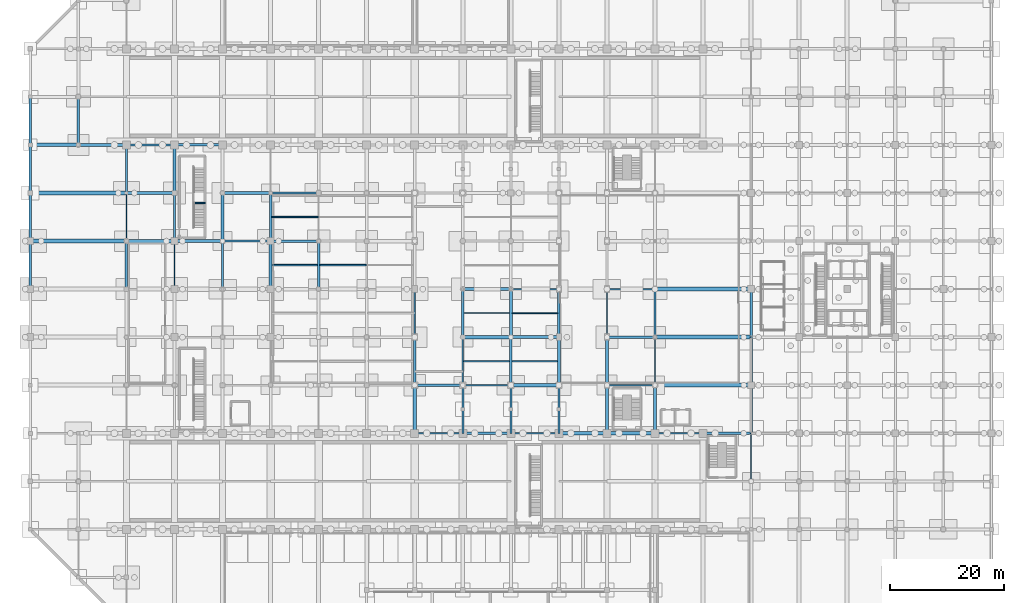
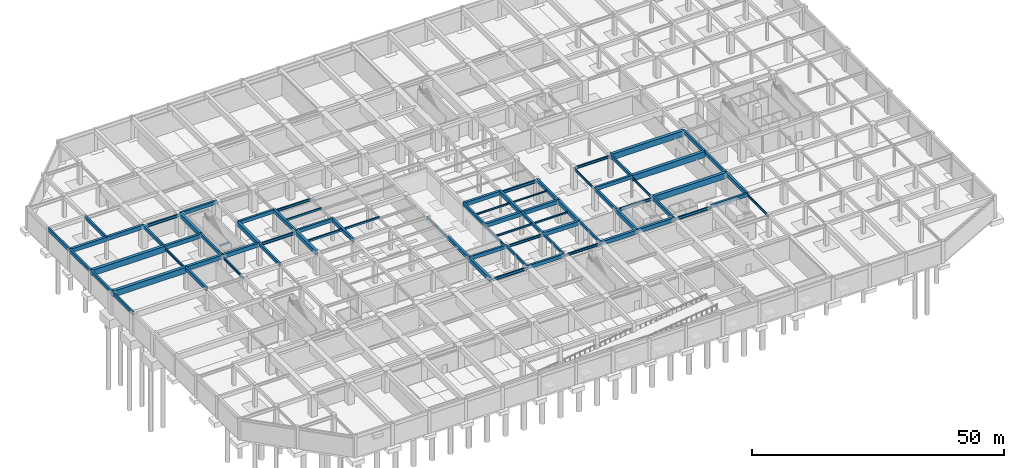
# One storey, part 12 of 26: 82 beams.
"""IFC4 building model written with IfcOpenShell, lengths in metres."""

from ifc_helpers import new_model, si_unit, direction, frame, origin, origin_2d, place, context, subcontext, project, spatial, rectangle, i_section, extrude, material, material_profile, profile_set, type_object, element, save


model = new_model("IFC4")

# Units and contexts
model_context = context("Model", 3, precision=1e-05, world=origin(), true_north=direction((0.0, 1.0)))
body_context = subcontext(model_context, "Body", "Model", "MODEL_VIEW")
ifc_project = project(units=[si_unit("LENGTHUNIT", "METRE"), si_unit("AREAUNIT", "SQUARE_METRE"), si_unit("VOLUMEUNIT", "CUBIC_METRE"), si_unit("PLANEANGLEUNIT", "RADIAN"), si_unit("MASSUNIT", "GRAM", prefix="KILO")], contexts=[model_context])

# Site, building, storey
site_placement = place(None, origin())
site = spatial("IfcSite", under=ifc_project, at=site_placement, CompositionType="ELEMENT")
building_placement = place(site_placement, origin())
building = spatial("IfcBuilding", under=site, at=building_placement, Name="Xuanlan Plaza Opera House", CompositionType="ELEMENT")
storey_placement = place(building_placement, frame((0.0, 0.0, -5.39990234375)))
storey = spatial("IfcBuildingStorey", under=building, at=storey_placement, Name="B01", CompositionType="ELEMENT", Elevation=-5.39990234375)

# Beams
ifc_material_1 = material(Name="Concrete C50", Category="concrete")
ifc_material_profile_1 = material_profile(ifc_material_1, rectangle(XDim=0.60009765625, YDim=0.949951171875, at=origin_2d()), Name="RC-BM 600x950")
ifc_profile_set_1 = profile_set([ifc_material_profile_1], Name="Concrete C50")
beam_type_1 = type_object("IfcBeamType", Name="STR-BM-B-01", PredefinedType="BEAM", material=ifc_profile_set_1)
beam_1_placement = place(storey_placement, frame((92.39990234375, 33.60009765625, 4.9248046875), z_axis=(1.0, 0.0, 0.0), x_axis=(0.0, 1.0, 0.0)))
element("IfcBeam", 1, at=beam_1_placement, inside=storey, type_object=beam_type_1, Name="Grid Beam X B01 12-13/E", PredefinedType="BEAM", context=body_context, shape_type="SweptSolid", body=[
    extrude(rectangle(XDim=0.60009765625, YDim=0.949951171875, at=origin_2d()), origin(), (0.0, 0.0, 1.0), 8.400146484375),
])
for number, where, z_axis, x_axis, name in (
    (2, (84.0, 42.0, 4.9248046875), (1.0, 0.0, 0.0), (0.0, 1.0, 0.0), "Grid Beam X B01 11-12/F"),
    (3, (75.60009765625, 50.39990234375, 4.9248046875), (1.0, 0.0, 0.0), (0.0, 1.0, 0.0), "Grid Beam X B01 10-11/G"),
    (4, (16.800048828125, 67.199951171875, 4.9248046875), (1.0, 0.0, 0.0), (0.0, 1.0, 0.0), "Grid Beam X B01 3-4/I"),
    (5, (0.0, 84.0, 4.9248046875), (1.0, 0.0, 0.0), (0.0, 1.0, 0.0), "Grid Beam X B01 1-2/K"),
):
    element("IfcBeam", number, at=place(storey_placement, frame(where, z_axis=z_axis, x_axis=x_axis)), inside=storey, type_object=beam_type_1, Name=name, PredefinedType="BEAM", context=body_context, shape_type="SweptSolid", body=[
        extrude(rectangle(XDim=0.60009765625, YDim=0.949951171875, at=origin_2d()), origin(), (0.0, 0.0, 1.0), 8.39990234375),
    ])
ifc_material_profile_2 = material_profile(ifc_material_1, rectangle(XDim=0.550048828125, YDim=0.949951171875, at=origin_2d()), Name="RC-BM 550x950")
ifc_profile_set_2 = profile_set([ifc_material_profile_2], Name="Concrete C50")
beam_type_2 = type_object("IfcBeamType", Name="STR-BM-B-02", PredefinedType="BEAM", material=ifc_profile_set_2)
for number, where, z_axis, x_axis, name in (
    (6, (100.800048828125, 33.60009765625, 4.9248046875), (1.0, 0.0, 0.0), (0.0, 1.0, 0.0), "Grid Beam X B01 13-14/E"),
    (7, (84.0, 50.39990234375, 4.9248046875), (1.0, 0.0, 0.0), (0.0, 1.0, 0.0), "Grid Beam X B01 11-12/G"),
    (8, (75.60009765625, 58.800048828125, 4.9248046875), (1.0, 0.0, 0.0), (0.0, 1.0, 0.0), "Grid Beam X B01 10-11/H"),
):
    element("IfcBeam", number, at=place(storey_placement, frame(where, z_axis=z_axis, x_axis=x_axis)), inside=storey, type_object=beam_type_2, Name=name, PredefinedType="BEAM", context=body_context, shape_type="SweptSolid", body=[
        extrude(rectangle(XDim=0.550048828125, YDim=0.949951171875, at=origin_2d()), origin(), (0.0, 0.0, 1.0), 8.39990234375),
    ])
beam_2_placement = place(storey_placement, frame((25.199951171875, 67.199951171875, 4.9248046875), z_axis=(1.0, 0.0, 0.0), x_axis=(0.0, 1.0, 0.0)))
element("IfcBeam", 9, at=beam_2_placement, inside=storey, type_object=beam_type_2, Name="Grid Beam X B01 4-5/I", PredefinedType="BEAM", context=body_context, shape_type="SweptSolid", body=[
    extrude(rectangle(XDim=0.550048828125, YDim=0.949951171875, at=origin_2d()), origin(), (0.0, 0.0, 1.0), 8.400146484375),
])
beam_3_placement = place(storey_placement, frame((16.800048828125, 75.60009765625, 4.9248046875), z_axis=(1.0, 0.0, 0.0), x_axis=(0.0, 1.0, 0.0)))
element("IfcBeam", 10, at=beam_3_placement, inside=storey, type_object=beam_type_2, Name="Grid Beam X B01 3-4/J", PredefinedType="BEAM", context=body_context, shape_type="SweptSolid", body=[
    extrude(rectangle(XDim=0.550048828125, YDim=0.949951171875, at=origin_2d()), origin(), (0.0, 0.0, 1.0), 8.39990234375),
])
beam_4_placement = place(storey_placement, frame((8.39990234375, 84.0, 4.9248046875), z_axis=(1.0, 0.0, 0.0), x_axis=(0.0, 1.0, 0.0)))
element("IfcBeam", 11, at=beam_4_placement, inside=storey, type_object=beam_type_2, Name="Grid Beam X B01 2-3/K", PredefinedType="BEAM", context=body_context, shape_type="SweptSolid", body=[
    extrude(rectangle(XDim=0.550048828125, YDim=0.949951171875, at=origin_2d()), origin(), (0.0, 0.0, 1.0), 8.400146484375),
])
beam_5_placement = place(storey_placement, frame((25.199951171875, 75.60009765625, 4.9248046875), z_axis=(0.0, 1.0, 0.0), x_axis=(-1.0, 0.0, 0.0)))
element("IfcBeam", 12, at=beam_5_placement, inside=storey, type_object=beam_type_2, Name="Grid Beam Y B01 4/J-K", PredefinedType="BEAM", context=body_context, shape_type="SweptSolid", body=[
    extrude(rectangle(XDim=0.550048828125, YDim=0.949951171875, at=origin_2d()), origin(), (0.0, 0.0, 1.0), 8.39990234375),
])
beam_6_placement = place(storey_placement, frame((33.60009765625, 67.199951171875, 4.9248046875), z_axis=(0.0, 1.0, 0.0), x_axis=(-1.0, 0.0, 0.0)))
element("IfcBeam", 13, at=beam_6_placement, inside=storey, type_object=beam_type_2, Name="Grid Beam Y B01 5/I-J", PredefinedType="BEAM", context=body_context, shape_type="SweptSolid", body=[
    extrude(rectangle(XDim=0.550048828125, YDim=0.949951171875, at=origin_2d()), origin(), (0.0, 0.0, 1.0), 8.400146484375),
])
for number, where, z_axis, x_axis, name in (
    (14, (42.0, 58.800048828125, 4.9248046875), (0.0, 1.0, 0.0), (-1.0, 0.0, 0.0), "Grid Beam Y B01 6/H-I"),
    (15, (67.199951171875, 33.60009765625, 4.9248046875), (0.0, 1.0, 0.0), (-1.0, 0.0, 0.0), "Grid Beam Y B01 9/E-F"),
):
    element("IfcBeam", number, at=place(storey_placement, frame(where, z_axis=z_axis, x_axis=x_axis)), inside=storey, type_object=beam_type_2, Name=name, PredefinedType="BEAM", context=body_context, shape_type="SweptSolid", body=[
        extrude(rectangle(XDim=0.550048828125, YDim=0.949951171875, at=origin_2d()), origin(), (0.0, 0.0, 1.0), 8.39990234375),
    ])
beam_7_placement = place(storey_placement, frame((84.0, 50.39990234375, 4.9248046875), z_axis=(0.0, 1.0, 0.0), x_axis=(-1.0, 0.0, 0.0)))
element("IfcBeam", 16, at=beam_7_placement, inside=storey, type_object=beam_type_2, Name="Grid Beam Y B01 11/G-H", PredefinedType="BEAM", context=body_context, shape_type="SweptSolid", body=[
    extrude(rectangle(XDim=0.550048828125, YDim=0.949951171875, at=origin_2d()), origin(), (0.0, 0.0, 1.0), 8.400146484375),
])
for number, where, z_axis, x_axis, name in (
    (17, (92.39990234375, 42.0, 4.9248046875), (0.0, 1.0, 0.0), (-1.0, 0.0, 0.0), "Grid Beam Y B01 12/F-G"),
    (18, (100.800048828125, 33.60009765625, 4.9248046875), (0.0, 1.0, 0.0), (-1.0, 0.0, 0.0), "Grid Beam Y B01 13/E-F"),
):
    element("IfcBeam", number, at=place(storey_placement, frame(where, z_axis=z_axis, x_axis=x_axis)), inside=storey, type_object=beam_type_2, Name=name, PredefinedType="BEAM", context=body_context, shape_type="SweptSolid", body=[
        extrude(rectangle(XDim=0.550048828125, YDim=0.949951171875, at=origin_2d()), origin(), (0.0, 0.0, 1.0), 8.39990234375),
    ])
ifc_material_2 = material(Name="Concrete C40", Category="concrete")
ifc_material_profile_3 = material_profile(ifc_material_2, rectangle(XDim=0.449951171875, YDim=0.85009765625, at=origin_2d()), Name="RC-BM 450x850")
ifc_profile_set_3 = profile_set([ifc_material_profile_3], Name="Concrete C40")
beam_type_3 = type_object("IfcBeamType", Name="STR-BM-B-04", PredefinedType="BEAM", material=ifc_profile_set_3)
for number, where, z_axis, x_axis, name in (
    (19, (75.60009765625, 33.60009765625, 4.974853515625), (1.0, 0.0, 0.0), (0.0, 1.0, 0.0), "Grid Beam X B01 10-11/E"),
    (20, (117.60009765625, 33.60009765625, 4.974853515625), (1.0, 0.0, 0.0), (0.0, 1.0, 0.0), "Grid Beam X B01 15-16/E"),
):
    element("IfcBeam", number, at=place(storey_placement, frame(where, z_axis=z_axis, x_axis=x_axis)), inside=storey, type_object=beam_type_3, Name=name, PredefinedType="BEAM", context=body_context, shape_type="SweptSolid", body=[
        extrude(rectangle(XDim=0.449951171875, YDim=0.85009765625, at=origin_2d()), origin(), (0.0, 0.0, 1.0), 8.39990234375),
    ])
beam_8_placement = place(storey_placement, frame((67.199951171875, 42.0, 4.974853515625), z_axis=(1.0, 0.0, 0.0), x_axis=(0.0, 1.0, 0.0)))
element("IfcBeam", 21, at=beam_8_placement, inside=storey, type_object=beam_type_3, Name="Grid Beam X B01 9-10/F", PredefinedType="BEAM", context=body_context, shape_type="SweptSolid", body=[
    extrude(rectangle(XDim=0.449951171875, YDim=0.85009765625, at=origin_2d()), origin(), (0.0, 0.0, 1.0), 8.400146484375),
])
for number, where, z_axis, x_axis, name in (
    (22, (100.800048828125, 50.39990234375, 4.974853515625), (1.0, 0.0, 0.0), (0.0, 1.0, 0.0), "Grid Beam X B01 13-14/G"),
    (23, (42.0, 67.199951171875, 4.974853515625), (1.0, 0.0, 0.0), (0.0, 1.0, 0.0), "Grid Beam X B01 6-7/I"),
    (24, (33.60009765625, 75.60009765625, 4.974853515625), (1.0, 0.0, 0.0), (0.0, 1.0, 0.0), "Grid Beam X B01 5-6/J"),
):
    element("IfcBeam", number, at=place(storey_placement, frame(where, z_axis=z_axis, x_axis=x_axis)), inside=storey, type_object=beam_type_3, Name=name, PredefinedType="BEAM", context=body_context, shape_type="SweptSolid", body=[
        extrude(rectangle(XDim=0.449951171875, YDim=0.85009765625, at=origin_2d()), origin(), (0.0, 0.0, 1.0), 8.39990234375),
    ])
beam_9_placement = place(storey_placement, frame((25.199951171875, 84.0, 4.974853515625), z_axis=(1.0, 0.0, 0.0), x_axis=(0.0, 1.0, 0.0)))
element("IfcBeam", 25, at=beam_9_placement, inside=storey, type_object=beam_type_3, Name="Grid Beam X B01 4-5/K", PredefinedType="BEAM", context=body_context, shape_type="SweptSolid", body=[
    extrude(rectangle(XDim=0.449951171875, YDim=0.85009765625, at=origin_2d()), origin(), (0.0, 0.0, 1.0), 8.400146484375),
])
beam_10_placement = place(storey_placement, frame((16.800048828125, 58.800048828125, 4.974853515625), z_axis=(0.0, 1.0, 0.0), x_axis=(-1.0, 0.0, 0.0)))
element("IfcBeam", 26, at=beam_10_placement, inside=storey, type_object=beam_type_3, Name="Grid Beam Y B01 3/H-I", PredefinedType="BEAM", context=body_context, shape_type="SweptSolid", body=[
    extrude(rectangle(XDim=0.449951171875, YDim=0.85009765625, at=origin_2d()), origin(), (0.0, 0.0, 1.0), 8.39990234375),
])
beam_11_placement = place(storey_placement, frame((42.0, 67.199951171875, 4.974853515625), z_axis=(0.0, 1.0, 0.0), x_axis=(-1.0, 0.0, 0.0)))
element("IfcBeam", 27, at=beam_11_placement, inside=storey, type_object=beam_type_3, Name="Grid Beam Y B01 6/I-J", PredefinedType="BEAM", context=body_context, shape_type="SweptSolid", body=[
    extrude(rectangle(XDim=0.449951171875, YDim=0.85009765625, at=origin_2d()), origin(), (0.0, 0.0, 1.0), 8.400146484375),
])
for number, where, z_axis, x_axis, name in (
    (28, (50.39990234375, 58.800048828125, 4.974853515625), (0.0, 1.0, 0.0), (-1.0, 0.0, 0.0), "Grid Beam Y B01 7/H-I"),
    (29, (67.199951171875, 42.0, 4.974853515625), (0.0, 1.0, 0.0), (-1.0, 0.0, 0.0), "Grid Beam Y B01 9/F-G"),
):
    element("IfcBeam", number, at=place(storey_placement, frame(where, z_axis=z_axis, x_axis=x_axis)), inside=storey, type_object=beam_type_3, Name=name, PredefinedType="BEAM", context=body_context, shape_type="SweptSolid", body=[
        extrude(rectangle(XDim=0.449951171875, YDim=0.85009765625, at=origin_2d()), origin(), (0.0, 0.0, 1.0), 8.39990234375),
    ])
beam_12_placement = place(storey_placement, frame((92.39990234375, 50.39990234375, 4.974853515625), z_axis=(0.0, 1.0, 0.0), x_axis=(-1.0, 0.0, 0.0)))
element("IfcBeam", 30, at=beam_12_placement, inside=storey, type_object=beam_type_3, Name="Grid Beam Y B01 12/G-H", PredefinedType="BEAM", context=body_context, shape_type="SweptSolid", body=[
    extrude(rectangle(XDim=0.449951171875, YDim=0.85009765625, at=origin_2d()), origin(), (0.0, 0.0, 1.0), 8.400146484375),
])
for number, where, z_axis, x_axis, name in (
    (31, (100.800048828125, 42.0, 4.974853515625), (0.0, 1.0, 0.0), (-1.0, 0.0, 0.0), "Grid Beam Y B01 13/F-G"),
    (32, (109.199951171875, 33.60009765625, 4.974853515625), (0.0, 1.0, 0.0), (-1.0, 0.0, 0.0), "Grid Beam Y B01 14/E-F"),
    (33, (126.0, 33.60009765625, 4.974853515625), (0.0, 1.0, 0.0), (-1.0, 0.0, 0.0), "Grid Beam Y B01 16/E-F"),
    (34, (126.0, 42.0, 4.974853515625), (0.0, 1.0, 0.0), (-1.0, 0.0, 0.0), "Grid Beam Y B01 16/F-G"),
):
    element("IfcBeam", number, at=place(storey_placement, frame(where, z_axis=z_axis, x_axis=x_axis)), inside=storey, type_object=beam_type_3, Name=name, PredefinedType="BEAM", context=body_context, shape_type="SweptSolid", body=[
        extrude(rectangle(XDim=0.449951171875, YDim=0.85009765625, at=origin_2d()), origin(), (0.0, 0.0, 1.0), 8.39990234375),
    ])
beam_13_placement = place(storey_placement, frame((126.0, 50.39990234375, 4.974853515625), z_axis=(0.0, 1.0, 0.0), x_axis=(-1.0, 0.0, 0.0)))
element("IfcBeam", 35, at=beam_13_placement, inside=storey, type_object=beam_type_3, Name="Grid Beam Y B01 16/G-H", PredefinedType="BEAM", context=body_context, shape_type="SweptSolid", body=[
    extrude(rectangle(XDim=0.449951171875, YDim=0.85009765625, at=origin_2d()), origin(), (0.0, 0.0, 1.0), 8.400146484375),
])
ifc_material_profile_4 = material_profile(ifc_material_2, rectangle(XDim=0.39990234375, YDim=0.75, at=origin_2d()), Name="RC-BM 400x750")
ifc_profile_set_4 = profile_set([ifc_material_profile_4], Name="Concrete C40")
beam_type_4 = type_object("IfcBeamType", Name="STR-BM-B-06", PredefinedType="BEAM", material=ifc_profile_set_4)
for number, where, z_axis, x_axis, name in (
    (36, (8.39990234375, 84.0, 5.02490234375), (0.0, 1.0, 0.0), (-1.0, 0.0, 0.0), "Grid Beam Y B01 2/K-L"),
    (37, (16.800048828125, 75.60009765625, 5.02490234375), (0.0, 1.0, 0.0), (-1.0, 0.0, 0.0), "Grid Beam Y B01 3/J-K"),
):
    element("IfcBeam", number, at=place(storey_placement, frame(where, z_axis=z_axis, x_axis=x_axis)), inside=storey, type_object=beam_type_4, Name=name, PredefinedType="BEAM", context=body_context, shape_type="SweptSolid", body=[
        extrude(rectangle(XDim=0.39990234375, YDim=0.75, at=origin_2d()), origin(), (0.0, 0.0, 1.0), 8.39990234375),
    ])
beam_14_placement = place(storey_placement, frame((25.199951171875, 67.199951171875, 5.02490234375), z_axis=(0.0, 1.0, 0.0), x_axis=(-1.0, 0.0, 0.0)))
element("IfcBeam", 38, at=beam_14_placement, inside=storey, type_object=beam_type_4, Name="Grid Beam Y B01 4/I-J", PredefinedType="BEAM", context=body_context, shape_type="SweptSolid", body=[
    extrude(rectangle(XDim=0.39990234375, YDim=0.75, at=origin_2d()), origin(), (0.0, 0.0, 1.0), 8.400146484375),
])
beam_15_placement = place(storey_placement, frame((33.60009765625, 58.800048828125, 5.02490234375), z_axis=(0.0, 1.0, 0.0), x_axis=(-1.0, 0.0, 0.0)))
element("IfcBeam", 39, at=beam_15_placement, inside=storey, type_object=beam_type_4, Name="Grid Beam Y B01 5/H-I", PredefinedType="BEAM", context=body_context, shape_type="SweptSolid", body=[
    extrude(rectangle(XDim=0.39990234375, YDim=0.75, at=origin_2d()), origin(), (0.0, 0.0, 1.0), 8.39990234375),
])
beam_16_placement = place(storey_placement, frame((75.60009765625, 50.39990234375, 5.02490234375), z_axis=(0.0, 1.0, 0.0), x_axis=(-1.0, 0.0, 0.0)))
element("IfcBeam", 40, at=beam_16_placement, inside=storey, type_object=beam_type_4, Name="Grid Beam Y B01 10/G-H", PredefinedType="BEAM", context=body_context, shape_type="SweptSolid", body=[
    extrude(rectangle(XDim=0.39990234375, YDim=0.75, at=origin_2d()), origin(), (0.0, 0.0, 1.0), 8.400146484375),
])
beam_17_placement = place(storey_placement, frame((84.0, 42.0, 5.02490234375), z_axis=(0.0, 1.0, 0.0), x_axis=(-1.0, 0.0, 0.0)))
element("IfcBeam", 41, at=beam_17_placement, inside=storey, type_object=beam_type_4, Name="Grid Beam Y B01 11/F-G", PredefinedType="BEAM", context=body_context, shape_type="SweptSolid", body=[
    extrude(rectangle(XDim=0.39990234375, YDim=0.75, at=origin_2d()), origin(), (0.0, 0.0, 1.0), 8.39990234375),
])
beam_18_placement = place(storey_placement, frame((109.199951171875, 50.39990234375, 5.02490234375), z_axis=(0.0, 1.0, 0.0), x_axis=(-1.0, 0.0, 0.0)))
element("IfcBeam", 42, at=beam_18_placement, inside=storey, type_object=beam_type_4, Name="Grid Beam Y B01 14/G-H", PredefinedType="BEAM", context=body_context, shape_type="SweptSolid", body=[
    extrude(rectangle(XDim=0.39990234375, YDim=0.75, at=origin_2d()), origin(), (0.0, 0.0, 1.0), 8.400146484375),
])
ifc_material_profile_5 = material_profile(ifc_material_2, rectangle(XDim=0.35009765625, YDim=0.60009765625, at=origin_2d()), Name="RC-BM 350x600")
ifc_profile_set_5 = profile_set([ifc_material_profile_5], Name="Concrete C40")
beam_type_5 = type_object("IfcBeamType", Name="STR-BM-B-10", PredefinedType="BEAM", material=ifc_profile_set_5)
for number, where, z_axis, x_axis, name in (
    (43, (75.60009765625, 33.60009765625, 5.099853515625), (0.0, 1.0, 0.0), (-1.0, 0.0, 0.0), "Sub-Bay Beam Y B01 10/EA"),
    (44, (75.60009765625, 37.800048828125, 5.099853515625), (0.0, 1.0, 0.0), (-1.0, 0.0, 0.0), "Sub-Bay Beam Y B01 10/EB"),
    (45, (84.0, 33.60009765625, 5.099853515625), (0.0, 1.0, 0.0), (-1.0, 0.0, 0.0), "Sub-Bay Beam Y B01 11/EA"),
    (46, (84.0, 37.800048828125, 5.099853515625), (0.0, 1.0, 0.0), (-1.0, 0.0, 0.0), "Sub-Bay Beam Y B01 11/EB"),
    (47, (92.39990234375, 33.60009765625, 5.099853515625), (0.0, 1.0, 0.0), (-1.0, 0.0, 0.0), "Sub-Bay Beam Y B01 12/EA"),
    (48, (92.39990234375, 37.800048828125, 5.099853515625), (0.0, 1.0, 0.0), (-1.0, 0.0, 0.0), "Sub-Bay Beam Y B01 12/EB"),
):
    element("IfcBeam", number, at=place(storey_placement, frame(where, z_axis=z_axis, x_axis=x_axis)), inside=storey, type_object=beam_type_5, Name=name, PredefinedType="BEAM", context=body_context, shape_type="SweptSolid", body=[
        extrude(rectangle(XDim=0.35009765625, YDim=0.60009765625, at=origin_2d()), origin(), (0.0, 0.0, 1.0), 4.199951171875),
    ])
ifc_material_3 = material(Name="Steel Q355B", Category="steel")
ifc_material_profile_6 = material_profile(ifc_material_3, i_section(OverallWidth=0.199951171875, OverallDepth=0.449951171875, WebThickness=0.009033203125, FlangeThickness=0.013916015625, FilletRadius=0.01806640625, at=origin_2d()), Name="HN 450x200x9x14")
ifc_profile_set_6 = profile_set([ifc_material_profile_6], Name="Steel Q355B")
beam_type_6 = type_object("IfcBeamType", Name="STR-BM-J-01", PredefinedType="JOIST", material=ifc_profile_set_6)
beam_19_placement = place(storey_placement, frame((75.699951171875, 46.199951171875, 4.869873046875), z_axis=(1.0, 0.0, 0.0), x_axis=(0.0, 1.0, 0.0)))
element("IfcBeam", 49, at=beam_19_placement, inside=storey, type_object=beam_type_6, Name="Heavy Floor Joist B01 10-11/Fm", PredefinedType="JOIST", context=body_context, shape_type="SweptSolid", body=[
    extrude(i_section(OverallWidth=0.199951171875, OverallDepth=0.449951171875, WebThickness=0.009033203125, FlangeThickness=0.013916015625, FilletRadius=0.01806640625, at=origin_2d()), origin(), (0.0, 0.0, 1.0), 8.10009765625),
])
ifc_material_profile_7 = material_profile(ifc_material_3, i_section(OverallWidth=0.199951171875, OverallDepth=0.39990234375, WebThickness=0.008056640625, FlangeThickness=0.012939453125, FilletRadius=0.01611328125, at=origin_2d()), Name="HN 400x200x8x13")
ifc_profile_set_7 = profile_set([ifc_material_profile_7], Name="Steel Q355B")
beam_type_7 = type_object("IfcBeamType", Name="STR-BM-J-02", PredefinedType="JOIST", material=ifc_profile_set_7)
for number, where, z_axis, x_axis, name in (
    (50, (84.199951171875, 46.199951171875, 4.89501953125), (1.0, 0.0, 0.0), (0.0, 1.0, 0.0), "Heavy Floor Joist B01 11-12/Fm"),
    (51, (75.800048828125, 54.60009765625, 4.89501953125), (1.0, 0.0, 0.0), (0.0, 1.0, 0.0), "Heavy Floor Joist B01 10-11/Gm"),
):
    element("IfcBeam", number, at=place(storey_placement, frame(where, z_axis=z_axis, x_axis=x_axis)), inside=storey, type_object=beam_type_7, Name=name, PredefinedType="JOIST", context=body_context, shape_type="SweptSolid", body=[
        extrude(i_section(OverallWidth=0.199951171875, OverallDepth=0.39990234375, WebThickness=0.008056640625, FlangeThickness=0.012939453125, FilletRadius=0.01611328125, at=origin_2d()), origin(), (0.0, 0.0, 1.0), 7.925048828125),
    ])
ifc_material_profile_8 = material_profile(ifc_material_3, i_section(OverallWidth=0.175048828125, OverallDepth=0.35009765625, WebThickness=0.007080078125, FlangeThickness=0.010986328125, FilletRadius=0.013916015625, at=origin_2d()), Name="HN 350x175x7x11")
ifc_profile_set_8 = profile_set([ifc_material_profile_8], Name="Steel Q355B")
beam_type_8 = type_object("IfcBeamType", Name="STR-BM-J-03", PredefinedType="JOIST", material=ifc_profile_set_8)
beam_20_placement = place(storey_placement, frame((84.27490234375, 54.60009765625, 4.919921875), z_axis=(1.0, 0.0, 0.0), x_axis=(0.0, 1.0, 0.0)))
element("IfcBeam", 52, at=beam_20_placement, inside=storey, type_object=beam_type_8, Name="Heavy Floor Joist B01 11-12/Gm", PredefinedType="JOIST", context=body_context, shape_type="SweptSolid", body=[
    extrude(i_section(OverallWidth=0.175048828125, OverallDepth=0.35009765625, WebThickness=0.007080078125, FlangeThickness=0.010986328125, FilletRadius=0.013916015625, at=origin_2d()), origin(), (0.0, 0.0, 1.0), 7.900146484375),
])
ifc_material_profile_9 = material_profile(ifc_material_2, rectangle(XDim=0.280029296875, YDim=0.5, at=origin_2d()), Name="RC-JST 280x500")
ifc_profile_set_9 = profile_set([ifc_material_profile_9], Name="Concrete C40")
beam_type_9 = type_object("IfcBeamType", Name="STR-BM-J-06", PredefinedType="JOIST", material=ifc_profile_set_9)
beam_21_placement = place(storey_placement, frame((42.27490234375, 63.0, 5.14990234375), z_axis=(1.0, 0.0, 0.0), x_axis=(0.0, 1.0, 0.0)))
element("IfcBeam", 53, at=beam_21_placement, inside=storey, type_object=beam_type_9, Name="Heavy Floor Joist B01 6-7/Hm", PredefinedType="JOIST", context=body_context, shape_type="SweptSolid", body=[
    extrude(rectangle(XDim=0.280029296875, YDim=0.5, at=origin_2d()), origin(), (0.0, 0.0, 1.0), 7.900146484375),
])
ifc_material_profile_10 = material_profile(ifc_material_2, rectangle(XDim=0.25, YDim=0.449951171875, at=origin_2d()), Name="RC-JST 250x450")
ifc_profile_set_10 = profile_set([ifc_material_profile_10], Name="Concrete C40")
beam_type_10 = type_object("IfcBeamType", Name="STR-BM-J-07", PredefinedType="JOIST", material=ifc_profile_set_10)
for number, where, z_axis, x_axis, name in (
    (54, (50.625, 63.0, 5.1748046875), (1.0, 0.0, 0.0), (0.0, 1.0, 0.0), "Heavy Floor Joist B01 7-8/Hm"),
    (55, (42.22509765625, 71.39990234375, 5.1748046875), (1.0, 0.0, 0.0), (0.0, 1.0, 0.0), "Heavy Floor Joist B01 6-7/Im"),
):
    element("IfcBeam", number, at=place(storey_placement, frame(where, z_axis=z_axis, x_axis=x_axis)), inside=storey, type_object=beam_type_10, Name=name, PredefinedType="JOIST", context=body_context, shape_type="SweptSolid", body=[
        extrude(rectangle(XDim=0.25, YDim=0.449951171875, at=origin_2d()), origin(), (0.0, 0.0, 1.0), 8.074951171875),
    ])
ifc_material_profile_11 = material_profile(ifc_material_1, rectangle(XDim=0.699951171875, YDim=1.39990234375, at=origin_2d()), Name="RC-LG 700x1400")
ifc_profile_set_11 = profile_set([ifc_material_profile_11], Name="Concrete C50")
beam_type_11 = type_object("IfcBeamType", Name="STR-BM-LG-01", PredefinedType="BEAM", material=ifc_profile_set_11)
for number, where, z_axis, x_axis, name in (
    (56, (109.199951171875, 42.0, 4.699951171875), (1.0, 0.0, 0.0), (0.0, 1.0, 0.0), "Grid Beam X B01 14-16/F"),
    (57, (109.199951171875, 50.39990234375, 4.699951171875), (1.0, 0.0, 0.0), (0.0, 1.0, 0.0), "Grid Beam X B01 14-16/G"),
    (58, (109.199951171875, 58.800048828125, 4.699951171875), (1.0, 0.0, 0.0), (0.0, 1.0, 0.0), "Grid Beam X B01 14-16/H"),
    (59, (0.0, 67.199951171875, 4.699951171875), (1.0, 0.0, 0.0), (0.0, 1.0, 0.0), "Grid Beam X B01 1-3/I"),
    (60, (0.0, 75.60009765625, 4.699951171875), (1.0, 0.0, 0.0), (0.0, 1.0, 0.0), "Grid Beam X B01 1-3/J"),
):
    element("IfcBeam", number, at=place(storey_placement, frame(where, z_axis=z_axis, x_axis=x_axis)), inside=storey, type_object=beam_type_11, Name=name, PredefinedType="BEAM", context=body_context, shape_type="SweptSolid", body=[
        extrude(rectangle(XDim=0.699951171875, YDim=1.39990234375, at=origin_2d()), origin(), (0.0, 0.0, 1.0), 16.800048828125),
    ])
ifc_material_profile_12 = material_profile(ifc_material_2, rectangle(XDim=0.300048828125, YDim=0.39990234375, at=origin_2d()), Name="RC-LNT 300x400")
ifc_profile_set_12 = profile_set([ifc_material_profile_12], Name="Concrete C40")
beam_type_12 = type_object("IfcBeamType", Name="STR-BM-LN-01", PredefinedType="LINTEL", material=ifc_profile_set_12)
beam_22_placement = place(storey_placement, frame((28.5, 73.875, 2.2998046875), z_axis=(1.0, 0.0, 0.0), x_axis=(0.0, 1.0, 0.0)))
element("IfcBeam", 61, at=beam_22_placement, inside=storey, type_object=beam_type_12, Name="Stair Mid-Landing Trimmer Beam ST-P2 B01", PredefinedType="LINTEL", context=body_context, shape_type="SweptSolid", body=[
    extrude(rectangle(XDim=0.300048828125, YDim=0.39990234375, at=origin_2d()), origin(), (0.0, 0.0, 1.0), 2.050048828125),
])
ifc_material_profile_13 = material_profile(ifc_material_3, i_section(OverallWidth=0.300048828125, OverallDepth=0.699951171875, WebThickness=0.012939453125, FlangeThickness=0.02392578125, FilletRadius=0.02392578125, at=origin_2d()), Name="HN 700x300x13x24")
ifc_profile_set_13 = profile_set([ifc_material_profile_13], Name="Steel Q355B")
beam_type_13 = type_object("IfcBeamType", Name="STR-BM-SB-03", PredefinedType="BEAM", material=ifc_profile_set_13)
for number, where, z_axis, x_axis, name in (
    (62, (67.199951171875, 33.60009765625, 4.744873046875), (1.0, 0.0, 0.0), (0.0, 1.0, 0.0), "Grid Beam X B01 9-10/E"),
    (63, (109.199951171875, 33.60009765625, 4.744873046875), (1.0, 0.0, 0.0), (0.0, 1.0, 0.0), "Grid Beam X B01 14-15/E"),
):
    element("IfcBeam", number, at=place(storey_placement, frame(where, z_axis=z_axis, x_axis=x_axis)), inside=storey, type_object=beam_type_13, Name=name, PredefinedType="BEAM", context=body_context, shape_type="SweptSolid", body=[
        extrude(i_section(OverallWidth=0.300048828125, OverallDepth=0.699951171875, WebThickness=0.012939453125, FlangeThickness=0.02392578125, FilletRadius=0.02392578125, at=origin_2d()), origin(), (0.0, 0.0, 1.0), 8.400146484375),
    ])
for number, where, z_axis, x_axis, name in (
    (64, (100.800048828125, 42.0, 4.744873046875), (1.0, 0.0, 0.0), (0.0, 1.0, 0.0), "Grid Beam X B01 13-14/F"),
    (65, (84.0, 58.800048828125, 4.744873046875), (1.0, 0.0, 0.0), (0.0, 1.0, 0.0), "Grid Beam X B01 11-12/H"),
    (66, (33.60009765625, 67.199951171875, 4.744873046875), (1.0, 0.0, 0.0), (0.0, 1.0, 0.0), "Grid Beam X B01 5-6/I"),
    (67, (16.800048828125, 84.0, 4.744873046875), (1.0, 0.0, 0.0), (0.0, 1.0, 0.0), "Grid Beam X B01 3-4/K"),
):
    element("IfcBeam", number, at=place(storey_placement, frame(where, z_axis=z_axis, x_axis=x_axis)), inside=storey, type_object=beam_type_13, Name=name, PredefinedType="BEAM", context=body_context, shape_type="SweptSolid", body=[
        extrude(i_section(OverallWidth=0.300048828125, OverallDepth=0.699951171875, WebThickness=0.012939453125, FlangeThickness=0.02392578125, FilletRadius=0.02392578125, at=origin_2d()), origin(), (0.0, 0.0, 1.0), 8.39990234375),
    ])
ifc_material_profile_14 = material_profile(ifc_material_3, i_section(OverallWidth=0.199951171875, OverallDepth=0.60009765625, WebThickness=0.010986328125, FlangeThickness=0.01708984375, FilletRadius=0.02197265625, at=origin_2d()), Name="HN 600x200x11x17")
ifc_profile_set_14 = profile_set([ifc_material_profile_14], Name="Steel Q355B")
beam_type_14 = type_object("IfcBeamType", Name="STR-BM-SB-04", PredefinedType="BEAM", material=ifc_profile_set_14)
beam_23_placement = place(storey_placement, frame((16.800048828125, 67.199951171875, 4.794921875), z_axis=(0.0, 1.0, 0.0), x_axis=(-1.0, 0.0, 0.0)))
element("IfcBeam", 68, at=beam_23_placement, inside=storey, type_object=beam_type_14, Name="Grid Beam Y B01 3/I-J", PredefinedType="BEAM", context=body_context, shape_type="SweptSolid", body=[
    extrude(i_section(OverallWidth=0.199951171875, OverallDepth=0.60009765625, WebThickness=0.010986328125, FlangeThickness=0.01708984375, FilletRadius=0.02197265625, at=origin_2d()), origin(), (0.0, 0.0, 1.0), 8.400146484375),
])
beam_24_placement = place(storey_placement, frame((25.199951171875, 58.800048828125, 4.794921875), z_axis=(0.0, 1.0, 0.0), x_axis=(-1.0, 0.0, 0.0)))
element("IfcBeam", 69, at=beam_24_placement, inside=storey, type_object=beam_type_14, Name="Grid Beam Y B01 4/H-I", PredefinedType="BEAM", context=body_context, shape_type="SweptSolid", body=[
    extrude(i_section(OverallWidth=0.199951171875, OverallDepth=0.60009765625, WebThickness=0.010986328125, FlangeThickness=0.01708984375, FilletRadius=0.02197265625, at=origin_2d()), origin(), (0.0, 0.0, 1.0), 8.39990234375),
])
beam_25_placement = place(storey_placement, frame((67.199951171875, 50.39990234375, 4.794921875), z_axis=(0.0, 1.0, 0.0), x_axis=(-1.0, 0.0, 0.0)))
element("IfcBeam", 70, at=beam_25_placement, inside=storey, type_object=beam_type_14, Name="Grid Beam Y B01 9/G-H", PredefinedType="BEAM", context=body_context, shape_type="SweptSolid", body=[
    extrude(i_section(OverallWidth=0.199951171875, OverallDepth=0.60009765625, WebThickness=0.010986328125, FlangeThickness=0.01708984375, FilletRadius=0.02197265625, at=origin_2d()), origin(), (0.0, 0.0, 1.0), 8.400146484375),
])
beam_26_placement = place(storey_placement, frame((75.60009765625, 42.0, 4.794921875), z_axis=(0.0, 1.0, 0.0), x_axis=(-1.0, 0.0, 0.0)))
element("IfcBeam", 71, at=beam_26_placement, inside=storey, type_object=beam_type_14, Name="Grid Beam Y B01 10/F-G", PredefinedType="BEAM", context=body_context, shape_type="SweptSolid", body=[
    extrude(i_section(OverallWidth=0.199951171875, OverallDepth=0.60009765625, WebThickness=0.010986328125, FlangeThickness=0.01708984375, FilletRadius=0.02197265625, at=origin_2d()), origin(), (0.0, 0.0, 1.0), 8.39990234375),
])
beam_27_placement = place(storey_placement, frame((100.800048828125, 50.39990234375, 4.794921875), z_axis=(0.0, 1.0, 0.0), x_axis=(-1.0, 0.0, 0.0)))
element("IfcBeam", 72, at=beam_27_placement, inside=storey, type_object=beam_type_14, Name="Grid Beam Y B01 13/G-H", PredefinedType="BEAM", context=body_context, shape_type="SweptSolid", body=[
    extrude(i_section(OverallWidth=0.199951171875, OverallDepth=0.60009765625, WebThickness=0.010986328125, FlangeThickness=0.01708984375, FilletRadius=0.02197265625, at=origin_2d()), origin(), (0.0, 0.0, 1.0), 8.400146484375),
])
beam_28_placement = place(storey_placement, frame((109.199951171875, 42.0, 4.794921875), z_axis=(0.0, 1.0, 0.0), x_axis=(-1.0, 0.0, 0.0)))
element("IfcBeam", 73, at=beam_28_placement, inside=storey, type_object=beam_type_14, Name="Grid Beam Y B01 14/F-G", PredefinedType="BEAM", context=body_context, shape_type="SweptSolid", body=[
    extrude(i_section(OverallWidth=0.199951171875, OverallDepth=0.60009765625, WebThickness=0.010986328125, FlangeThickness=0.01708984375, FilletRadius=0.02197265625, at=origin_2d()), origin(), (0.0, 0.0, 1.0), 8.39990234375),
])
beam_29_placement = place(storey_placement, frame((126.0, 25.199951171875, 4.794921875), z_axis=(0.0, 1.0, 0.0), x_axis=(-1.0, 0.0, 0.0)))
element("IfcBeam", 74, at=beam_29_placement, inside=storey, type_object=beam_type_14, Name="Grid Beam Y B01 16/D-E", PredefinedType="BEAM", context=body_context, shape_type="SweptSolid", body=[
    extrude(i_section(OverallWidth=0.199951171875, OverallDepth=0.60009765625, WebThickness=0.010986328125, FlangeThickness=0.01708984375, FilletRadius=0.02197265625, at=origin_2d()), origin(), (0.0, 0.0, 1.0), 8.400146484375),
])
ifc_material_profile_15 = material_profile(ifc_material_3, i_section(OverallWidth=0.300048828125, OverallDepth=0.587890625, WebThickness=0.011962890625, FlangeThickness=0.02001953125, FilletRadius=0.02392578125, at=origin_2d()), Name="HM 588x300x12x20")
ifc_profile_set_15 = profile_set([ifc_material_profile_15], Name="Steel Q355B")
beam_type_15 = type_object("IfcBeamType", Name="STR-BM-SB-06", PredefinedType="BEAM", material=ifc_profile_set_15)
for number, where, z_axis, x_axis, name in (
    (75, (84.0, 33.60009765625, 4.80078125), (1.0, 0.0, 0.0), (0.0, 1.0, 0.0), "Grid Beam X B01 11-12/E"),
    (76, (75.60009765625, 42.0, 4.80078125), (1.0, 0.0, 0.0), (0.0, 1.0, 0.0), "Grid Beam X B01 10-11/F"),
    (77, (100.800048828125, 58.800048828125, 4.80078125), (1.0, 0.0, 0.0), (0.0, 1.0, 0.0), "Grid Beam X B01 13-14/H"),
    (78, (42.0, 75.60009765625, 4.80078125), (1.0, 0.0, 0.0), (0.0, 1.0, 0.0), "Grid Beam X B01 6-7/J"),
):
    element("IfcBeam", number, at=place(storey_placement, frame(where, z_axis=z_axis, x_axis=x_axis)), inside=storey, type_object=beam_type_15, Name=name, PredefinedType="BEAM", context=body_context, shape_type="SweptSolid", body=[
        extrude(i_section(OverallWidth=0.300048828125, OverallDepth=0.587890625, WebThickness=0.011962890625, FlangeThickness=0.02001953125, FilletRadius=0.02392578125, at=origin_2d()), origin(), (0.0, 0.0, 1.0), 8.39990234375),
    ])
ifc_material_profile_16 = material_profile(ifc_material_2, rectangle(XDim=0.39990234375, YDim=0.800048828125, at=origin_2d()), Name="RC-SPD 400x800")
ifc_profile_set_16 = profile_set([ifc_material_profile_16], Name="Concrete C40")
beam_type_16 = type_object("IfcBeamType", Name="STR-BM-SP-01", PredefinedType="SPANDREL", material=ifc_profile_set_16)
beam_30_placement = place(storey_placement, frame((0.0, 58.800048828125, 5.0), z_axis=(0.0, 1.0, 0.0), x_axis=(-1.0, 0.0, 0.0)))
element("IfcBeam", 79, at=beam_30_placement, inside=storey, type_object=beam_type_16, Name="Grid Beam Y B01 1/H-I", PredefinedType="SPANDREL", context=body_context, shape_type="SweptSolid", body=[
    extrude(rectangle(XDim=0.39990234375, YDim=0.800048828125, at=origin_2d()), origin(), (0.0, 0.0, 1.0), 8.39990234375),
])
beam_31_placement = place(storey_placement, frame((0.0, 67.199951171875, 5.0), z_axis=(0.0, 1.0, 0.0), x_axis=(-1.0, 0.0, 0.0)))
element("IfcBeam", 80, at=beam_31_placement, inside=storey, type_object=beam_type_16, Name="Grid Beam Y B01 1/I-J", PredefinedType="SPANDREL", context=body_context, shape_type="SweptSolid", body=[
    extrude(rectangle(XDim=0.39990234375, YDim=0.800048828125, at=origin_2d()), origin(), (0.0, 0.0, 1.0), 8.400146484375),
])
for number, where, z_axis, x_axis, name in (
    (81, (0.0, 75.60009765625, 5.0), (0.0, 1.0, 0.0), (-1.0, 0.0, 0.0), "Grid Beam Y B01 1/J-K"),
    (82, (0.0, 84.0, 5.0), (0.0, 1.0, 0.0), (-1.0, 0.0, 0.0), "Grid Beam Y B01 1/K-L"),
):
    element("IfcBeam", number, at=place(storey_placement, frame(where, z_axis=z_axis, x_axis=x_axis)), inside=storey, type_object=beam_type_16, Name=name, PredefinedType="SPANDREL", context=body_context, shape_type="SweptSolid", body=[
        extrude(rectangle(XDim=0.39990234375, YDim=0.800048828125, at=origin_2d()), origin(), (0.0, 0.0, 1.0), 8.39990234375),
    ])

save(model, "model.ifc")
